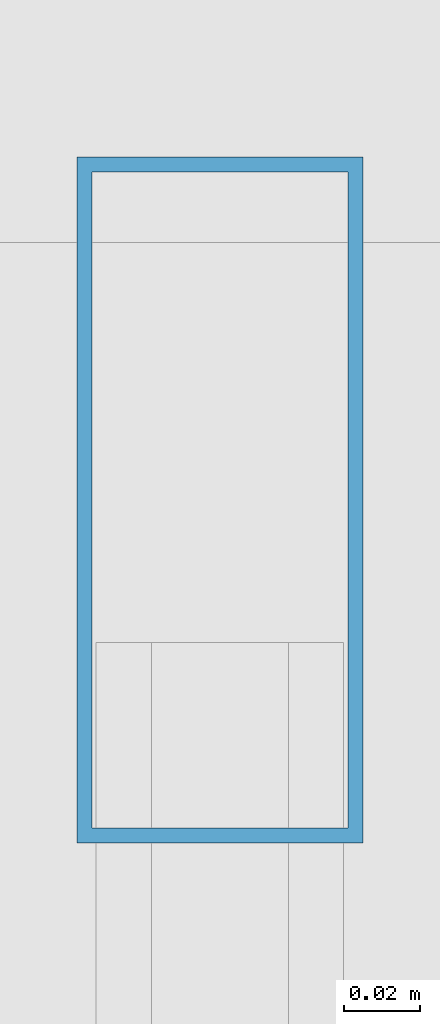
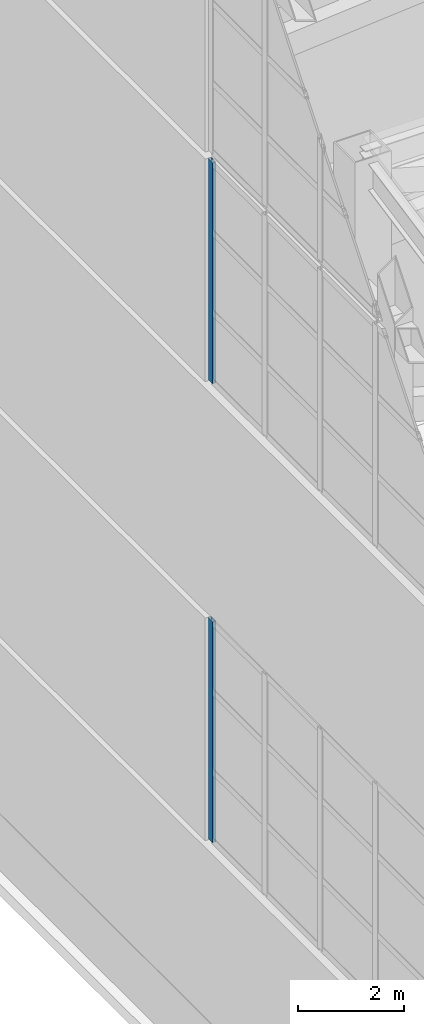
# One storey, part 20 of 47: 2 members, 2 elements without a shape of their own.
"""IFC4 building model written with IfcOpenShell, lengths in metres."""

from ifc_helpers import new_model, si_unit, direction, frame, origin, origin_2d, place, context, subcontext, project, spatial, hollow_rectangle, extrude, material, layer, layer_set, material_profile, profile_set, type_object, element, aggregate, save


model = new_model("IFC4")

# Units and contexts
model_context = context("Model", 3, precision=1e-05, world=origin(), true_north=direction((0.0, 1.0)))
body_context = subcontext(model_context, "Body", "Model", "MODEL_VIEW")
ifc_project = project(units=[si_unit("LENGTHUNIT", "METRE"), si_unit("AREAUNIT", "SQUARE_METRE"), si_unit("VOLUMEUNIT", "CUBIC_METRE"), si_unit("PLANEANGLEUNIT", "RADIAN"), si_unit("MASSUNIT", "GRAM", prefix="KILO")], contexts=[model_context])

# Site, building, storey
site_placement = place(None, origin())
site = spatial("IfcSite", under=ifc_project, at=site_placement, CompositionType="ELEMENT")
building_placement = place(site_placement, origin())
building = spatial("IfcBuilding", under=site, at=building_placement, Name="Qiaolan Cultural Towers", CompositionType="ELEMENT")
storey_placement = place(building_placement, frame((0.0, 0.0, 280.199951171875)))
storey = spatial("IfcBuildingStorey", under=building, at=storey_placement, Name="RF", CompositionType="ELEMENT", Elevation=280.199951171875)

# Curtain wall, member
ifc_material_1 = material(Name="Unitized Anodized Aluminium Curtain Wall System", Category="aluminium")
ifc_layer = layer(ifc_material_1, 0.199951171875)
ifc_layer_set = layer_set([ifc_layer], Name="Unitized Anodized Aluminium Curtain Wall System")
curtain_wall_type = type_object("IfcCurtainWallType", Name="CWS-06", PredefinedType="NOTDEFINED", material=ifc_layer_set)
curtain_wall_1_placement = place(storey_placement, origin())
curtain_wall_1 = element("IfcCurtainWall", 1, at=curtain_wall_1_placement, inside=storey, type_object=curtain_wall_type, Name="T1 Crown Tier 2 Fritted Screen Curtain Wall 7", PredefinedType="NOTDEFINED")
ifc_material_2 = material(Name="Extruded Aluminium 6063-T6", Category="aluminium")
ifc_material_profile = material_profile(ifc_material_2, hollow_rectangle(XDim=0.074951171875, YDim=0.179931640625, WallThickness=0.00390625, at=origin_2d()), Name="CWM-180x75x4")
ifc_profile_set = profile_set([ifc_material_profile], Name="Extruded Aluminium 6063-T6")
member_type = type_object("IfcMemberType", Name="CWS-06-MUL", PredefinedType="MULLION", material=ifc_profile_set)
member_1_placement = place(storey_placement, frame((14.949951171875, 40.232421875, 5.400146484375), z_axis=(0.0, 0.0, 1.0), x_axis=(1.0, 0.0, 0.0)))
member_1 = element("IfcMember", 2, at=member_1_placement, type_object=member_type, Name="CW-6 mullion 1", PredefinedType="MULLION", context=body_context, shape_type="SweptSolid", body=[
    extrude(hollow_rectangle(XDim=0.074951171875, YDim=0.179931640625, WallThickness=0.00390625, at=origin_2d()), origin(), (0.0, 0.0, 1.0), 5.099853515625),
])
aggregate(curtain_wall_1, [member_1])

curtain_wall_2_placement = place(storey_placement, origin())
curtain_wall_2 = element("IfcCurtainWall", 3, at=curtain_wall_2_placement, inside=storey, type_object=curtain_wall_type, Name="T1 Crown Tier 4 Fritted Screen Curtain Wall 7", PredefinedType="NOTDEFINED")
member_2_placement = place(storey_placement, frame((14.949951171875, 40.232421875, 16.0), z_axis=(0.0, 0.0, 1.0), x_axis=(1.0, 0.0, 0.0)))
member_2 = element("IfcMember", 4, at=member_2_placement, type_object=member_type, Name="CW-6 mullion 1", PredefinedType="MULLION", context=body_context, shape_type="SweptSolid", body=[
    extrude(hollow_rectangle(XDim=0.074951171875, YDim=0.179931640625, WallThickness=0.00390625, at=origin_2d()), origin(), (0.0, 0.0, 1.0), 5.10009765625),
])
aggregate(curtain_wall_2, [member_2])

save(model, "model.ifc")
